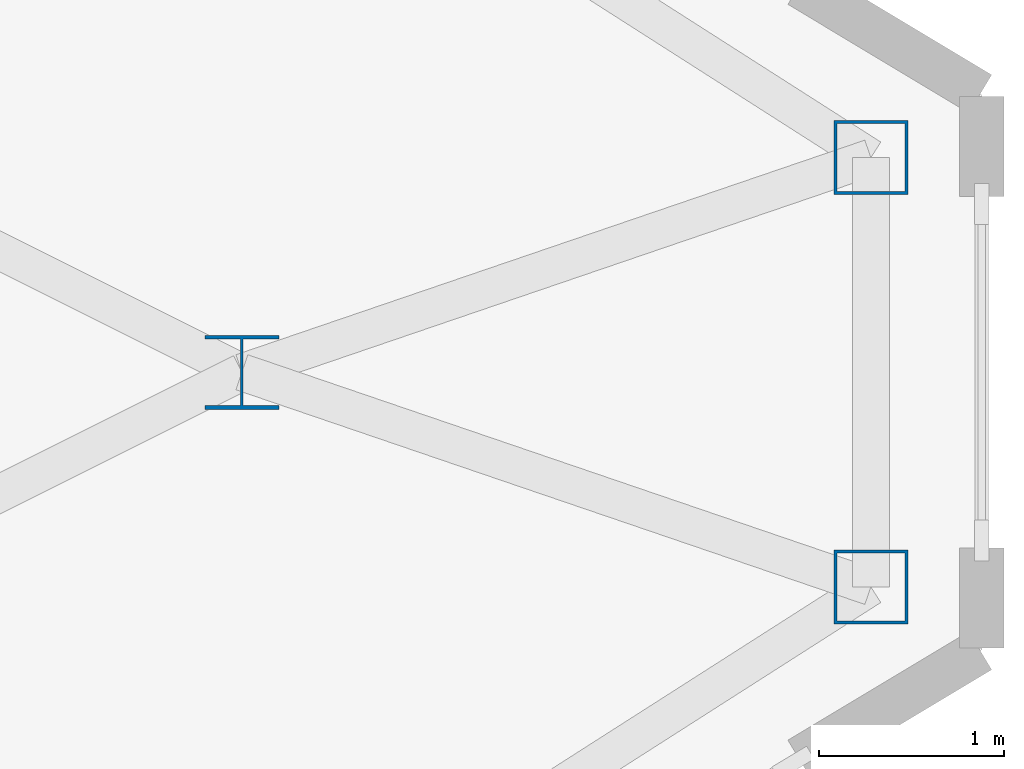
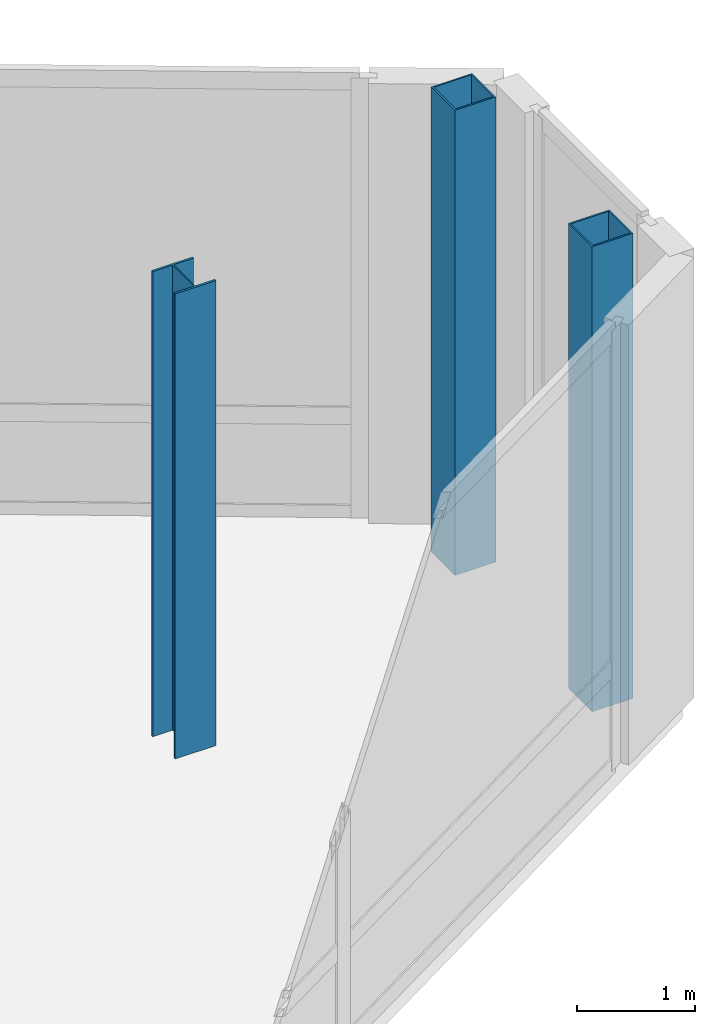
# One storey, part 7 of 29: 3 columns.
"""IFC4 building model written with IfcOpenShell, lengths in metres."""

from ifc_helpers import new_model, si_unit, direction, frame, origin, origin_2d, place, context, subcontext, project, spatial, hollow_rectangle, i_section, extrude, source, transform, mapped, material, material_profile, profile_set, type_object, type_shapes, element, save


model = new_model("IFC4")

# Units and contexts
model_context = context("Model", 3, precision=1e-05, world=origin(), true_north=direction((0.0, 1.0)))
body_context = subcontext(model_context, "Body", "Model", "MODEL_VIEW")
ifc_project = project(units=[si_unit("LENGTHUNIT", "METRE"), si_unit("AREAUNIT", "SQUARE_METRE"), si_unit("VOLUMEUNIT", "CUBIC_METRE"), si_unit("PLANEANGLEUNIT", "RADIAN"), si_unit("MASSUNIT", "GRAM", prefix="KILO")], contexts=[model_context])

# Site, building, storey
site_placement = place(None, origin())
site = spatial("IfcSite", under=ifc_project, at=site_placement, CompositionType="ELEMENT")
building_placement = place(site_placement, origin())
building = spatial("IfcBuilding", under=site, at=building_placement, Name="Seokmaru Belvedere", CompositionType="ELEMENT")
storey_placement = place(building_placement, frame((0.0, 0.0, 269.39990234375)))
storey = spatial("IfcBuildingStorey", under=building, at=storey_placement, Name="L71", CompositionType="ELEMENT", Elevation=269.39990234375)

# Columns
ifc_material = material(Name="Steel SM355 (355 MPa)", Category="steel")
ifc_material_profile_1 = material_profile(ifc_material, hollow_rectangle(XDim=0.39990234375, YDim=0.39990234375, WallThickness=0.01611328125, at=origin_2d()), Name="HSS-400x400x16")
ifc_profile_set_1 = profile_set([ifc_material_profile_1], Name="Steel SM355 (355 MPa)")
column_type_1 = type_object("IfcColumnType", Name="Perimeter Facet Column HSS-400", PredefinedType="COLUMN", material=ifc_profile_set_1)
shared_shape_1 = source(origin(), body_context, "Body", "SweptSolid", [
    extrude(hollow_rectangle(XDim=0.39990234375, YDim=0.39990234375, WallThickness=0.01611328125, at=origin_2d()), origin(), (0.0, 0.0, 1.0), 4.800048828125),
])
type_shapes(column_type_1, [shared_shape_1])
for number, where, z_axis, x_axis, name in (
    (1, (66.89990234375, -1.160400390625, 0.0), (0.0, 0.0, 1.0), (1.0, 0.0, 0.0), "L71 Column EF2"),
    (2, (66.89990234375, 1.160400390625, 0.0), (0.0, 0.0, 1.0), (1.0, 0.0, 0.0), "L71 Column EF3"),
):
    element("IfcColumn", number, at=place(storey_placement, frame(where, z_axis=z_axis, x_axis=x_axis)), inside=storey, type_object=column_type_1, Name=name, PredefinedType="COLUMN", context=body_context, shape_type="MappedRepresentation", body=[
        mapped(shared_shape_1, transform((0.0, 0.0, 0.0), scale=1.0)),
    ])
ifc_material_profile_2 = material_profile(ifc_material, i_section(OverallWidth=0.39990234375, OverallDepth=0.39990234375, WebThickness=0.012939453125, FlangeThickness=0.02099609375, at=origin_2d()), Name="H-400x400x13x21")
ifc_profile_set_2 = profile_set([ifc_material_profile_2], Name="Steel SM355 (355 MPa)")
column_type_2 = type_object("IfcColumnType", Name="Observatory Column H-400", PredefinedType="COLUMN", material=ifc_profile_set_2)
shared_shape_2 = source(origin(), body_context, "Body", "SweptSolid", [
    extrude(i_section(OverallWidth=0.39990234375, OverallDepth=0.39990234375, WebThickness=0.012939453125, FlangeThickness=0.02099609375, at=origin_2d()), origin(), (0.0, 0.0, 1.0), 4.800048828125),
])
type_shapes(column_type_2, [shared_shape_2])
column_placement = place(storey_placement, frame((63.5, 0.0, 0.0), z_axis=(0.0, 0.0, 1.0), x_axis=(1.0, 0.0, 0.0)))
element("IfcColumn", 3, at=column_placement, inside=storey, type_object=column_type_2, Name="L71 Column EG3P_1", PredefinedType="COLUMN", context=body_context, shape_type="MappedRepresentation", body=[
    mapped(shared_shape_2, transform((0.0, 0.0, 0.0), scale=1.0)),
])

save(model, "model.ifc")
